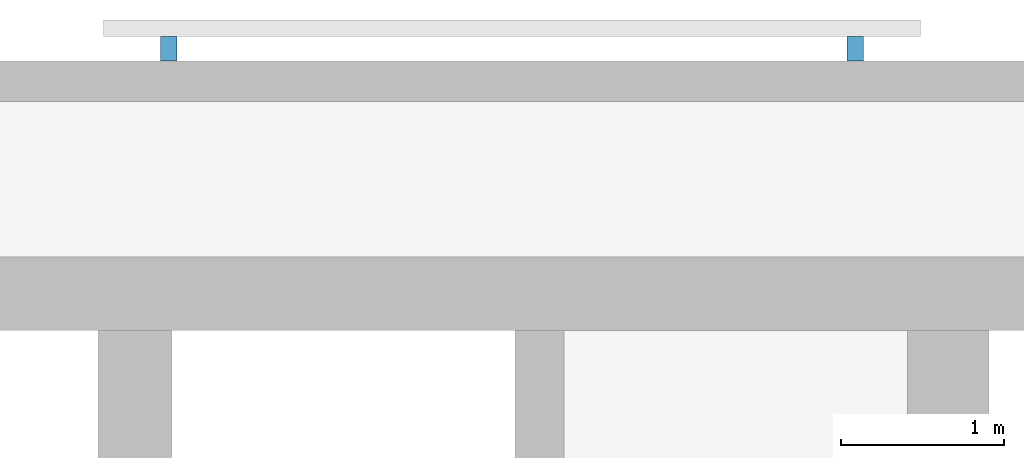
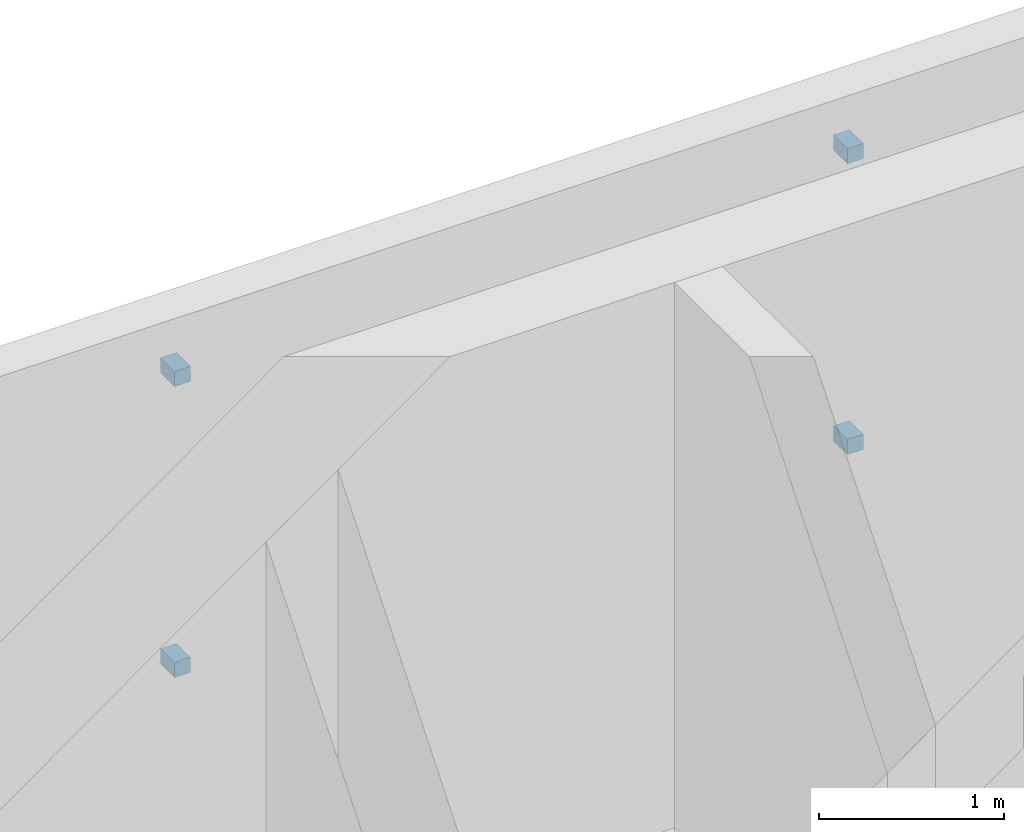
# One storey, part 10 of 13: 4 discrete accessories.
"""IFC4 building model written with IfcOpenShell, lengths in metres."""

import ifcopenshell
import ifcopenshell.guid

model = None  # the IFC model being written
_history = None  # IfcOwnerHistory: only IFC2X3 demands one
_inside = {}  # id of a spatial element -> (the spatial element, [elements in it])
_under = {}  # id of a project, library or spatial element -> (it, [spatial elements below it])
_declared = {}  # id of a project -> (the project, [libraries it declares])
_typed = {}  # id of a type object -> (the type object, [elements of that type])
_made_of = {}  # id of a material, layer set ... -> (it, [elements and type objects made of it])


def new_model(schema):
    """Start an empty IFC model of exactly this schema.

    Asked for "IFC4X3", IfcOpenShell would pick the latest addendum, in which some entities
    have other attributes; the version numbers below select the first issue.
    IFC2X3 requires an IfcOwnerHistory on every rooted entity: one is made here for all.
    """
    global model, _history
    if schema == "IFC4X3":
        model = ifcopenshell.file(schema_version=(4, 3, 0, 0))
    else:
        model = ifcopenshell.file(schema=schema)
    _inside.clear()
    _under.clear()
    _declared.clear()
    _typed.clear()
    _made_of.clear()
    _history = None
    if model.schema == "IFC2X3":
        org = make("IfcOrganization", Name="unknown")
        user = make(
            "IfcPersonAndOrganization",
            ThePerson=make("IfcPerson", FamilyName="unknown"),
            TheOrganization=org,
        )
        app = make(
            "IfcApplication",
            ApplicationDeveloper=org,
            Version="unknown",
            ApplicationFullName="unknown",
            ApplicationIdentifier="unknown",
        )
        _history = make(
            "IfcOwnerHistory",
            OwningUser=user,
            OwningApplication=app,
            ChangeAction="ADDED",
            CreationDate=0,
        )
    return model


def make(cls, **values):
    """One entity of the class cls with the attributes given. An attribute that is None is left unset."""
    return model.create_entity(
        cls, **{name: value for name, value in values.items() if value is not None}
    )


def rooted(cls, **values):
    """An entity with a GlobalId (a new one), such as an element, a storey or a relation."""
    return make(cls, GlobalId=ifcopenshell.guid.new(), OwnerHistory=_history, **values)


def si_unit(unit_type, name, prefix=None):
    """IfcSIUnit, for example si_unit("LENGTHUNIT", "METRE", prefix="MILLI")."""
    return make("IfcSIUnit", UnitType=unit_type, Prefix=prefix, Name=name)


def assignment(units):
    """IfcUnitAssignment: the units of a project."""
    return None if units is None else make("IfcUnitAssignment", Units=units)


def point(xyz):
    """IfcCartesianPoint."""
    return None if xyz is None else make("IfcCartesianPoint", Coordinates=xyz)


def direction(xyz):
    """IfcDirection."""
    return None if xyz is None else make("IfcDirection", DirectionRatios=xyz)


def frame(location, z_axis=None, x_axis=None):
    """IfcAxis2Placement3D, a coordinate frame: its origin and axes. An axis left out is left unset."""
    return make(
        "IfcAxis2Placement3D",
        Location=point(location),
        Axis=direction(z_axis),
        RefDirection=direction(x_axis),
    )


def frame_2d(location, x_axis=None):
    """IfcAxis2Placement2D, a coordinate frame in the plane: its origin and x axis."""
    return make(
        "IfcAxis2Placement2D", Location=point(location), RefDirection=direction(x_axis)
    )


def origin():
    """The frame at (0, 0, 0) with its axes left unset."""
    return frame((0.0, 0.0, 0.0))


def origin_2d():
    """The frame at (0, 0) in the plane with its x axis left unset."""
    return frame_2d((0.0, 0.0))


def place(relative_to, where):
    """IfcLocalPlacement: puts the frame where relative to a parent placement (None: the world)."""
    return make(
        "IfcLocalPlacement", PlacementRelTo=relative_to, RelativePlacement=where
    )


def context(
    kind, dimensions, precision=None, world=None, true_north=None, identifier=None
):
    """IfcGeometricRepresentationContext, for example the 3D "Model" context."""
    return make(
        "IfcGeometricRepresentationContext",
        ContextIdentifier=identifier,
        ContextType=kind,
        CoordinateSpaceDimension=dimensions,
        Precision=precision,
        WorldCoordinateSystem=world,
        TrueNorth=true_north,
    )


def subcontext(parent, identifier, kind, view, scale=None):
    """IfcGeometricRepresentationSubContext, for example "Body" below "Model"."""
    return make(
        "IfcGeometricRepresentationSubContext",
        ContextIdentifier=identifier,
        ContextType=kind,
        ParentContext=parent,
        TargetScale=scale,
        TargetView=view,
    )


def project(units=None, contexts=None):
    """IfcProject with its units and contexts."""
    return rooted(
        "IfcProject",
        Name="project",
        RepresentationContexts=contexts,
        UnitsInContext=assignment(units),
    )


def spatial(cls, under=None, at=None, **own):
    """A site, building, storey or space (cls), placed at a placement, below another one or the project."""
    s = rooted(cls, ObjectPlacement=at, **own)
    if under is not None:
        _under.setdefault(under.id(), (under, []))[1].append(s)
    return s


def profile(cls, at=None, kind="AREA", **sizes):
    """A parametric profile (cls). Its sizes go by their IFC names, for example OverallWidth=200.0."""
    return make(cls, ProfileType=kind, Position=at, **sizes)


def rectangle(**sizes):
    """IfcRectangleProfileDef."""
    return profile("IfcRectangleProfileDef", **sizes)


def extrude(swept, where, along, depth):
    """IfcExtrudedAreaSolid: the profile swept, set in the frame where, extruded along a direction by depth."""
    return make(
        "IfcExtrudedAreaSolid",
        SweptArea=swept,
        Position=where,
        ExtrudedDirection=direction(along),
        Depth=depth,
    )


def shape(context_of_items, identifier, shape_type, items):
    """IfcShapeRepresentation: the items that make up one representation, for example the "Body"."""
    return make(
        "IfcShapeRepresentation",
        ContextOfItems=context_of_items,
        RepresentationIdentifier=identifier,
        RepresentationType=shape_type,
        Items=items,
    )


def material(Name=None, Category=None):
    """IfcMaterial."""
    return make("IfcMaterial", Name=Name, Category=Category)


def made_of(thing, what):
    """Note that an element or type object is made of a material, layer set ...; save() writes the relation."""
    if what is not None:
        _made_of.setdefault(what.id(), (what, []))[1].append(thing)
    return thing


def type_object(cls, material=None, **own):
    """A type object (cls), such as IfcWallType, which elements share."""
    return made_of(rooted(cls, **own), material)


def element(
    cls,
    number,
    at=None,
    inside=None,
    cuts=None,
    type_object=None,
    material=None,
    context=None,
    identifier="Body",
    shape_type=None,
    held_by="IfcProductDefinitionShape",
    body=None,
    shapes=None,
    **own,
):
    """One element of the class cls, such as IfcWall. Its Tag is "e" and its number.

    at: its placement. inside: the storey or other place that contains it. cuts: it is an
    opening in that element (IfcRelVoidsElement). A single representation is given by context,
    identifier, shape_type and body (its items); several are given by shapes. held_by: the class
    of the entity that holds the representations. save() writes the other relations.
    """
    e = rooted(cls, Tag="e%d" % number, ObjectPlacement=at, **own)
    if body is not None:
        shapes = [shape(context, identifier, shape_type, body)]
    if shapes is not None:
        e.Representation = make(held_by, Representations=shapes)
    if inside is not None:
        _inside.setdefault(inside.id(), (inside, []))[1].append(e)
    if cuts is not None:
        rooted(
            "IfcRelVoidsElement", RelatingBuildingElement=cuts, RelatedOpeningElement=e
        )
    if type_object is not None:
        _typed.setdefault(type_object.id(), (type_object, []))[1].append(e)
    return made_of(e, material)


def aggregate(whole, parts):
    """IfcRelAggregates: a whole, such as a stair, and the parts it consists of."""
    return rooted("IfcRelAggregates", RelatingObject=whole, RelatedObjects=parts)


def save(model, path):
    """Write the relations noted so far, then the file.

    IfcRelAggregates (storeys below a building ...), IfcRelContainedInSpatialStructure (elements
    in a storey), IfcRelDefinesByType, IfcRelAssociatesMaterial and IfcRelDeclares: one each for
    every whole, place, type object, material and project.
    """
    for whole, parts in _under.values():
        aggregate(whole, parts)
    for where, things in _inside.values():
        rooted(
            "IfcRelContainedInSpatialStructure",
            RelatedElements=things,
            RelatingStructure=where,
        )
    for kind, things in _typed.values():
        rooted("IfcRelDefinesByType", RelatedObjects=things, RelatingType=kind)
    for what, things in _made_of.values():
        rooted("IfcRelAssociatesMaterial", RelatedObjects=things, RelatingMaterial=what)
    for by, libraries in _declared.values():
        rooted("IfcRelDeclares", RelatingContext=by, RelatedDefinitions=libraries)
    model.write(path)


model = new_model("IFC4")

# Units and contexts
model_context = context("Model", 3, precision=1e-05, world=origin(), true_north=direction((0.0, 1.0)))
body_context = subcontext(model_context, "Body", "Model", "MODEL_VIEW")
ifc_project = project(units=[si_unit("LENGTHUNIT", "METRE"), si_unit("AREAUNIT", "SQUARE_METRE"), si_unit("VOLUMEUNIT", "CUBIC_METRE"), si_unit("PLANEANGLEUNIT", "RADIAN"), si_unit("MASSUNIT", "GRAM", prefix="KILO")], contexts=[model_context])

# Site, building, storey
site_placement = place(None, origin())
site = spatial("IfcSite", under=ifc_project, at=site_placement, CompositionType="ELEMENT")
building_placement = place(site_placement, origin())
building = spatial("IfcBuilding", under=site, at=building_placement, Name="Torana Hotel and Residences", CompositionType="ELEMENT")
storey_placement = place(building_placement, frame((0.0, 0.0, 60.0)))
storey = spatial("IfcBuildingStorey", under=building, at=storey_placement, Name="L14", CompositionType="ELEMENT", Elevation=60.0)

# Discrete accessories
ifc_material = material(Name="Steel S355", Category="steel")
discrete_accessory_type = type_object("IfcDiscreteAccessoryType", Name="SCREEN BRACKET 100", PredefinedType="BRACKET", material=ifc_material)
for number, where, z_axis, x_axis, name in (
    (1, (23.681396484375, 1.27490234375, 0.75), (0.0, 0.0, 1.0), (-1.0, 0.0, 0.0), "Screen bracket L14"),
    (2, (23.681396484375, 1.27490234375, 2.669921875), (0.0, 0.0, 1.0), (-1.0, 0.0, 0.0), "Screen bracket L14"),
    (3, (19.4814453125, 1.27490234375, 0.75), (0.0, 0.0, 1.0), (-1.0, 0.0, 0.0), "Screen bracket L14"),
    (4, (19.4814453125, 1.27490234375, 2.669921875), (0.0, 0.0, 1.0), (-1.0, 0.0, 0.0), "Screen bracket L14"),
):
    element("IfcDiscreteAccessory", number, at=place(storey_placement, frame(where, z_axis=z_axis, x_axis=x_axis)), inside=storey, type_object=discrete_accessory_type, Name=name, PredefinedType="BRACKET", context=body_context, shape_type="SweptSolid", body=[
        extrude(rectangle(XDim=0.10009765625, YDim=0.14990234375, at=origin_2d()), origin(), (0.0, 0.0, 1.0), 0.10009765625),
    ])

save(model, "model.ifc")
